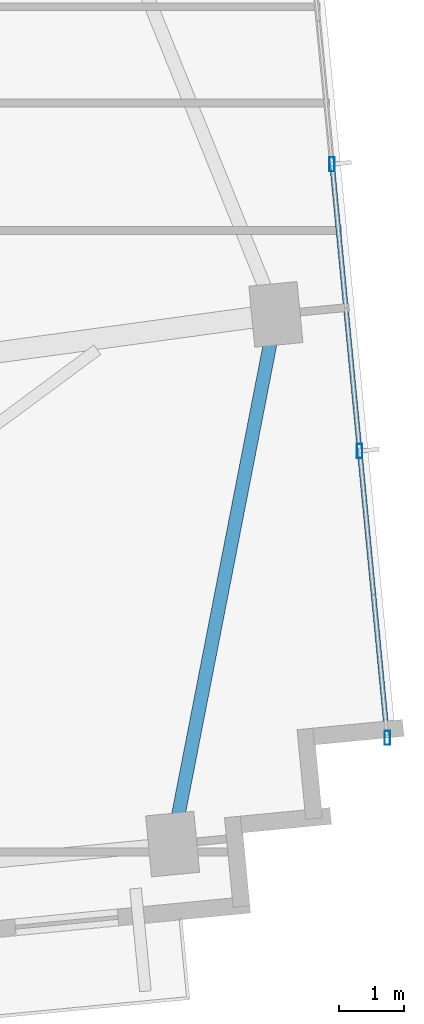
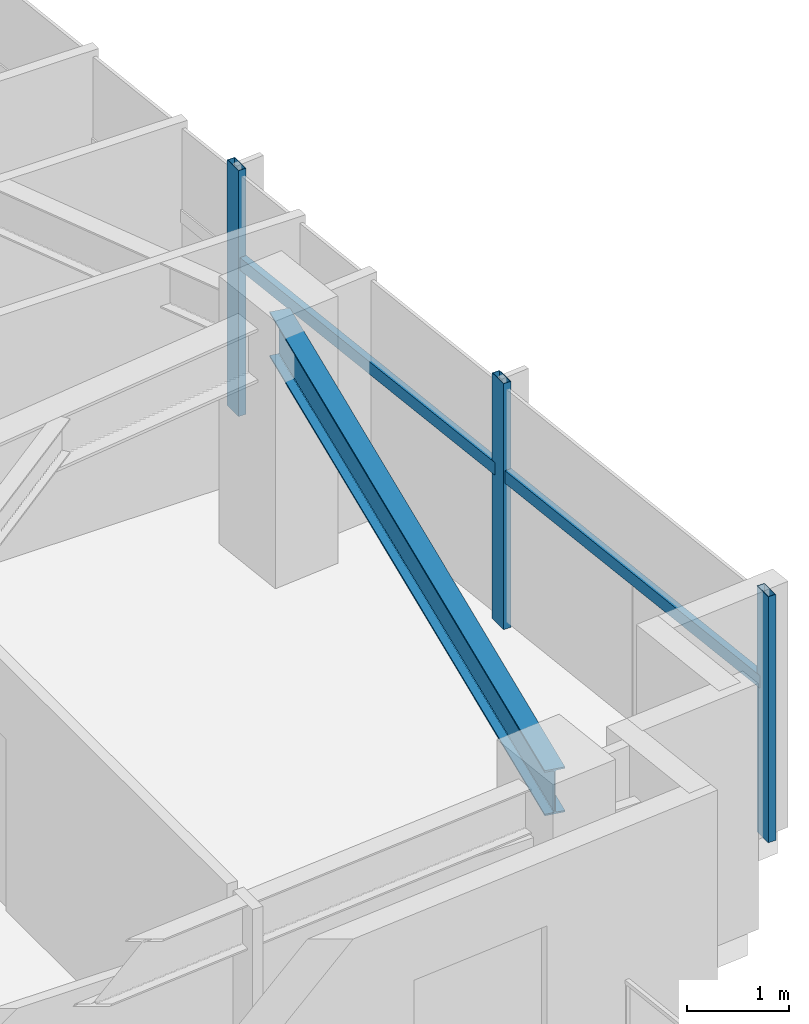
# One storey, part 10 of 18: 5 members, 1 beam, 1 element without a shape of its own.
"""IFC4 building model written with IfcOpenShell, lengths in metres."""

from ifc_helpers import new_model, si_unit, direction, frame, origin, origin_2d, place, context, subcontext, project, spatial, hollow_rectangle, i_section, extrude, source, transform, mapped, material, material_profile, profile_set, type_object, type_shapes, element, aggregate, save


model = new_model("IFC4")

# Units and contexts
model_context = context("Model", 3, precision=1e-05, world=origin(), true_north=direction((0.0, 1.0)))
body_context = subcontext(model_context, "Body", "Model", "MODEL_VIEW")
ifc_project = project(units=[si_unit("LENGTHUNIT", "METRE"), si_unit("AREAUNIT", "SQUARE_METRE"), si_unit("VOLUMEUNIT", "CUBIC_METRE"), si_unit("PLANEANGLEUNIT", "RADIAN"), si_unit("MASSUNIT", "GRAM", prefix="KILO")], contexts=[model_context])

# Site, building, storey
site_placement = place(None, origin())
site = spatial("IfcSite", under=ifc_project, at=site_placement, CompositionType="ELEMENT")
building_placement = place(site_placement, origin())
building = spatial("IfcBuilding", under=site, at=building_placement, Name="Astriad Promenade Condominiums", CompositionType="ELEMENT")
storey_placement = place(building_placement, frame((0.0, 0.0, 198.60009765625)))
storey = spatial("IfcBuildingStorey", under=building, at=storey_placement, Name="L57", CompositionType="ELEMENT", Elevation=198.60009765625)

# Beam
ifc_material_1 = material(Name="Steel ASTM A992 Grade 50", Category="steel")
ifc_material_profile_1 = material_profile(ifc_material_1, i_section(OverallWidth=0.210693359375, OverallDepth=0.53955078125, WebThickness=0.01171875, FlangeThickness=0.018798828125, FilletRadius=0.0166015625, at=origin_2d()), Name="W21X73")
ifc_profile_set_1 = profile_set([ifc_material_profile_1], Name="Steel ASTM A992 Grade 50")
beam_type = type_object("IfcBeamType", Name="STEEL SPANDREL BEAM W21X73", PredefinedType="SPANDREL", material=ifc_profile_set_1)
shared_shape_1 = source(origin(), body_context, "Body", "SweptSolid", [
    extrude(i_section(OverallWidth=0.210693359375, OverallDepth=0.53955078125, WebThickness=0.01171875, FlangeThickness=0.018798828125, FilletRadius=0.0166015625, at=origin_2d()), origin(), (0.0, 0.0, 1.0), 8.28564453125),
])
type_shapes(beam_type, [shared_shape_1])
beam_placement = place(storey_placement, frame((61.775634765625, 11.6552734375, 2.670166015625), z_axis=(0.191291582099, 0.981533254973, 0.0), x_axis=(-0.981533254973, 0.191291582099, 0.0)))
element("IfcBeam", 1, at=beam_placement, inside=storey, type_object=beam_type, Name="Perimeter Spandrel Beam SP-E1-L57", PredefinedType="SPANDREL", context=body_context, shape_type="MappedRepresentation", body=[
    mapped(shared_shape_1, transform((0.0, 0.0, 0.0), scale=1.0)),
])

# Curtain wall, members
ifc_material_2 = material(Name="Anodised aluminium Black Dark Glass Unitised", Category="aluminium")
curtain_wall_type = type_object("IfcCurtainWallType", Name="CW-B34-DARK", PredefinedType="USERDEFINED", material=ifc_material_2)
curtain_wall_placement = place(storey_placement, origin())
curtain_wall = element("IfcCurtainWall", 2, at=curtain_wall_placement, inside=storey, type_object=curtain_wall_type, Name="CW-L57-E", ObjectType="UNITISED_CURTAIN_WALL", PredefinedType="USERDEFINED")
ifc_material_3 = material(Name="Anodised aluminium 6063-T6 Black", Category="aluminium")
ifc_material_profile_2 = material_profile(ifc_material_3, hollow_rectangle(XDim=0.0849609375, YDim=0.219970703125, WallThickness=0.0048828125, at=origin_2d()), Name="ALU-MUL-85X220")
ifc_profile_set_2 = profile_set([ifc_material_profile_2], Name="Anodised aluminium 6063-T6 Black")
member_type_1 = type_object("IfcMemberType", Name="MUL-ALU-MUL-85X220", PredefinedType="MULLION", material=ifc_profile_set_2)
shared_shape_2 = source(origin(), body_context, "Body", "SweptSolid", [
    extrude(hollow_rectangle(XDim=0.0849609375, YDim=0.219970703125, WallThickness=0.0048828125, at=origin_2d()), origin(), (0.0, 0.0, 1.0), 2.93994140625),
])
type_shapes(member_type_1, [shared_shape_2])
member_1_placement = place(storey_placement, frame((64.239013671875, 22.154541015625, 0.0), z_axis=(0.0, 0.0, 1.0), x_axis=(1.0, 0.0, 0.0)))
member_1 = element("IfcMember", 3, at=member_1_placement, type_object=member_type_1, Name="CW-L57-E-MUL-01", PredefinedType="MULLION", context=body_context, shape_type="MappedRepresentation", body=[
    mapped(shared_shape_2, transform((0.0, 0.0, 0.0), scale=1.0)),
])
member_2_placement = place(storey_placement, frame((64.667236328125, 17.70849609375, 0.0), z_axis=(0.0, 0.0, 1.0), x_axis=(1.0, 0.0, 0.0)))
member_2 = element("IfcMember", 4, at=member_2_placement, type_object=member_type_1, Name="CW-L57-E-MUL-02", PredefinedType="MULLION", context=body_context, shape_type="MappedRepresentation", body=[
    mapped(shared_shape_2, transform((0.0, 0.0, 0.0), scale=1.0)),
])
member_3_placement = place(storey_placement, frame((65.095458984375, 13.262451171875, 0.0), z_axis=(0.0, 0.0, 1.0), x_axis=(1.0, 0.0, 0.0)))
member_3 = element("IfcMember", 5, at=member_3_placement, type_object=member_type_1, Name="CW-L57-E-MUL-03", PredefinedType="MULLION", context=body_context, shape_type="MappedRepresentation", body=[
    mapped(shared_shape_2, transform((0.0, 0.0, 0.0), scale=1.0)),
])
ifc_material_profile_3 = material_profile(ifc_material_3, hollow_rectangle(XDim=0.074951171875, YDim=0.14990234375, WallThickness=0.004150390625, at=origin_2d()), Name="ALU-TRN-75X150")
ifc_profile_set_3 = profile_set([ifc_material_profile_3], Name="Anodised aluminium 6063-T6 Black")
member_type_2 = type_object("IfcMemberType", Name="TRN-ALU-TRN-75X150", PredefinedType="USERDEFINED", material=ifc_profile_set_3)
shared_shape_3 = source(origin(), body_context, "Body", "SweptSolid", [
    extrude(hollow_rectangle(XDim=0.074951171875, YDim=0.14990234375, WallThickness=0.004150390625, at=origin_2d()), origin(), (0.0, 0.0, 1.0), 4.466552734375),
])
type_shapes(member_type_2, [shared_shape_3])
member_4_placement = place(storey_placement, frame((64.239013671875, 22.154541015625, 1.82275390625), z_axis=(0.095871755514, -0.995393694221, 0.0), x_axis=(0.995393694221, 0.095871755514, 0.0)))
member_4 = element("IfcMember", 6, at=member_4_placement, type_object=member_type_2, Name="CW-L57-E-TRN-01-0", ObjectType="TRANSOM", PredefinedType="USERDEFINED", context=body_context, shape_type="MappedRepresentation", body=[
    mapped(shared_shape_3, transform((0.0, 0.0, 0.0), scale=1.0)),
])
member_5_placement = place(storey_placement, frame((64.667236328125, 17.70849609375, 1.82275390625), z_axis=(0.095871755514, -0.995393694221, 0.0), x_axis=(0.995393694221, 0.095871755514, 0.0)))
member_5 = element("IfcMember", 7, at=member_5_placement, type_object=member_type_2, Name="CW-L57-E-TRN-02-0", ObjectType="TRANSOM", PredefinedType="USERDEFINED", context=body_context, shape_type="MappedRepresentation", body=[
    mapped(shared_shape_3, transform((0.0, 0.0, 0.0), scale=1.0)),
])
aggregate(curtain_wall, [member_1, member_2, member_3, member_4, member_5])

save(model, "model.ifc")
